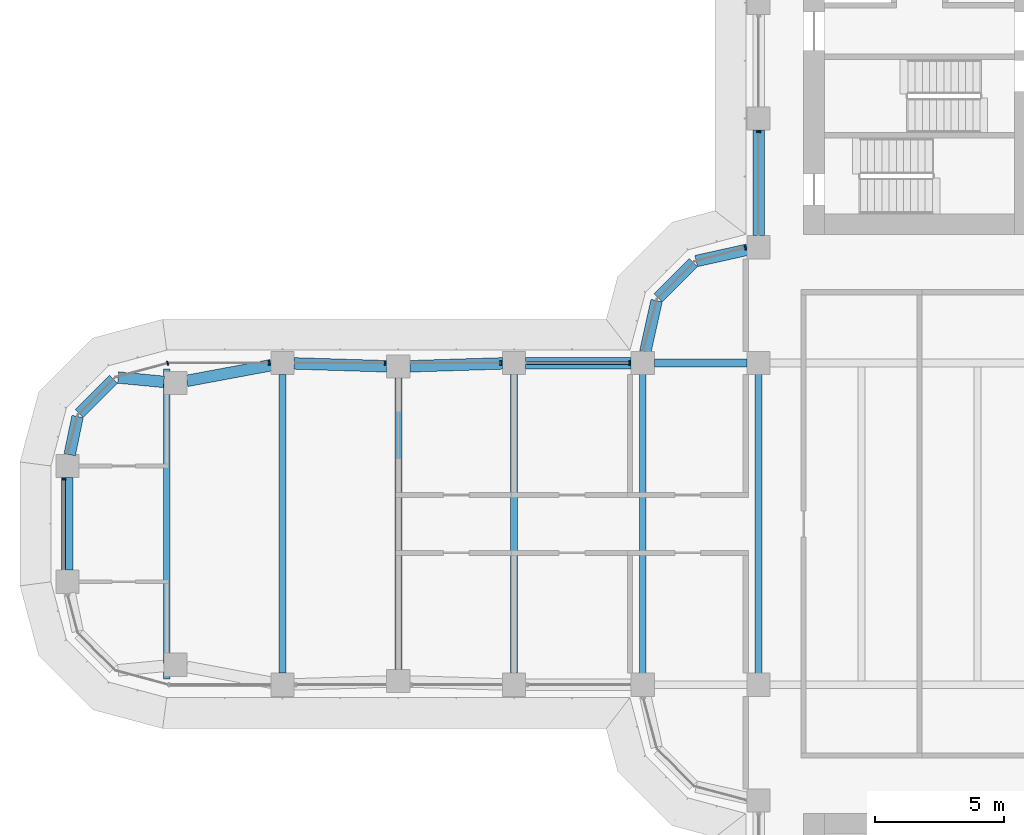
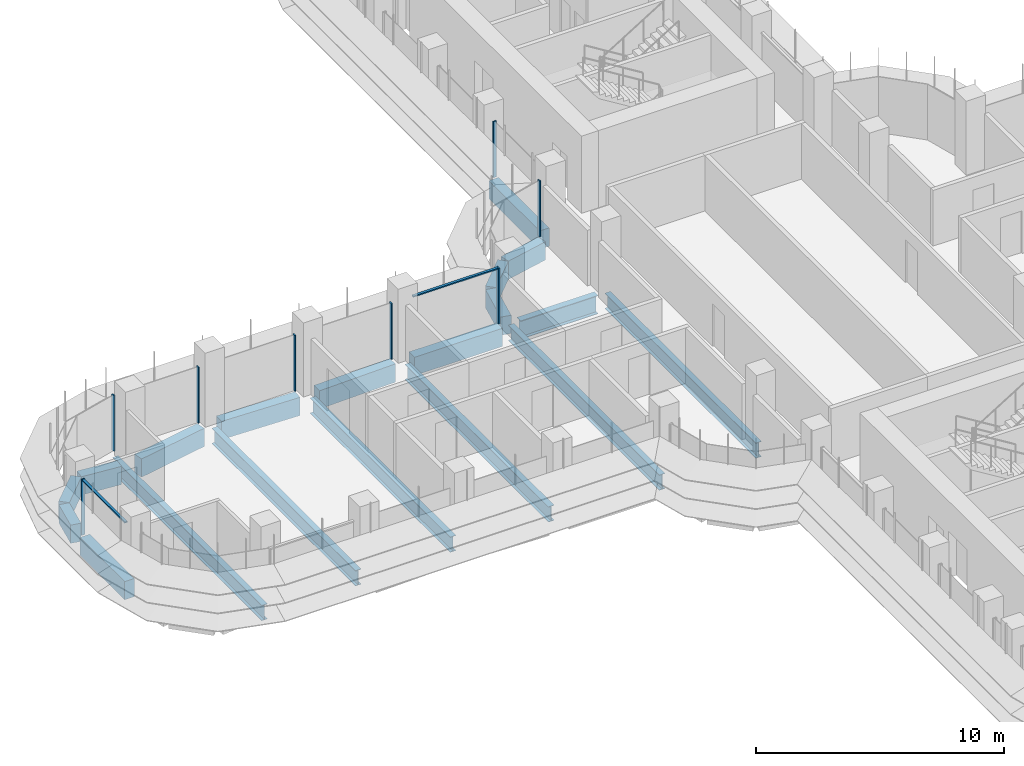
# One storey, part 6 of 23: 19 beams, 10 members, 5 elements without a shape of their own.
"""IFC4 building model written with IfcOpenShell, lengths in metres."""

from ifc_helpers import new_model, si_unit, direction, frame, origin, origin_2d, place, context, subcontext, project, spatial, polyline, rectangle, i_section, outline, extrude, source, transform, mapped, material, material_profile, profile_set, type_object, element, aggregate, save


model = new_model("IFC4")

# Units and contexts
model_context = context("Model", 3, precision=1e-05, world=origin(), true_north=direction((0.0, 1.0)))
body_context = subcontext(model_context, "Body", "Model", "MODEL_VIEW")
ifc_project = project(units=[si_unit("LENGTHUNIT", "METRE"), si_unit("AREAUNIT", "SQUARE_METRE"), si_unit("VOLUMEUNIT", "CUBIC_METRE"), si_unit("PLANEANGLEUNIT", "RADIAN"), si_unit("MASSUNIT", "GRAM", prefix="KILO")], contexts=[model_context])

# Site, building, storey
site_placement = place(None, origin())
site = spatial("IfcSite", under=ifc_project, at=site_placement, CompositionType="ELEMENT")
building_placement = place(site_placement, origin())
building = spatial("IfcBuilding", under=site, at=building_placement, Name="Zarbagh Exchange Tower", CompositionType="ELEMENT")
storey_placement = place(building_placement, frame((0.0, 0.0, 86.60009765625)))
storey = spatial("IfcBuildingStorey", under=building, at=storey_placement, Name="L19", CompositionType="ELEMENT", Elevation=86.60009765625)

# Beams
ifc_material_1 = material(Name="Steel ASTM A992 Gr 50", Category="steel")
ifc_material_profile_1 = material_profile(ifc_material_1, i_section(OverallWidth=0.2666015625, OverallDepth=0.7568359375, WebThickness=0.013916015625, FlangeThickness=0.019287109375, at=origin_2d()), Name="W30X108")
ifc_profile_set_1 = profile_set([ifc_material_profile_1], Name="Steel ASTM A992 Gr 50")
beam_type_1 = type_object("IfcBeamType", Name="Floor beam W30X108", PredefinedType="BEAM", material=ifc_profile_set_1)
for number, where, z_axis, x_axis, name in (
    (1, (-10.75, -6.09765625, -0.528564453125), (0.0, 1.0, 0.0), (-1.0, 0.0, 0.0), "Steel floor beam"),
    (2, (-6.25, -6.09765625, -0.528564453125), (0.0, 1.0, 0.0), (-1.0, 0.0, 0.0), "Steel floor beam"),
):
    element("IfcBeam", number, at=place(storey_placement, frame(where, z_axis=z_axis, x_axis=x_axis)), inside=storey, type_object=beam_type_1, Name=name, PredefinedType="BEAM", context=body_context, shape_type="SweptSolid", body=[
        extrude(i_section(OverallWidth=0.2666015625, OverallDepth=0.7568359375, WebThickness=0.013916015625, FlangeThickness=0.019287109375, at=origin_2d()), origin(), (0.0, 0.0, 1.0), 12.1953125),
    ])
beam_1_placement = place(storey_placement, frame((-15.75, -5.800048828125, -0.528564453125), z_axis=(0.0, 1.0, 0.0), x_axis=(-1.0, 0.0, 0.0)))
element("IfcBeam", 3, at=beam_1_placement, inside=storey, type_object=beam_type_1, Name="Steel floor beam", PredefinedType="BEAM", context=body_context, shape_type="SweptSolid", body=[
    extrude(i_section(OverallWidth=0.2666015625, OverallDepth=0.7568359375, WebThickness=0.013916015625, FlangeThickness=0.019287109375, at=origin_2d()), origin(), (0.0, 0.0, 1.0), 11.60009765625),
])
beam_2_placement = place(storey_placement, frame((-20.25, -5.659912109375, -0.528564453125), z_axis=(0.0, 1.0, 0.0), x_axis=(-1.0, 0.0, 0.0)))
element("IfcBeam", 4, at=beam_2_placement, inside=storey, type_object=beam_type_1, Name="Steel floor beam", PredefinedType="BEAM", context=body_context, shape_type="SweptSolid", body=[
    extrude(i_section(OverallWidth=0.2666015625, OverallDepth=0.7568359375, WebThickness=0.013916015625, FlangeThickness=0.019287109375, at=origin_2d()), origin(), (0.0, 0.0, 1.0), 11.31982421875),
])
beam_3_placement = place(storey_placement, frame((-24.75, -5.800048828125, -0.528564453125), z_axis=(0.0, 1.0, 0.0), x_axis=(-1.0, 0.0, 0.0)))
element("IfcBeam", 5, at=beam_3_placement, inside=storey, type_object=beam_type_1, Name="Steel floor beam", PredefinedType="BEAM", context=body_context, shape_type="SweptSolid", body=[
    extrude(i_section(OverallWidth=0.2666015625, OverallDepth=0.7568359375, WebThickness=0.013916015625, FlangeThickness=0.019287109375, at=origin_2d()), origin(), (0.0, 0.0, 1.0), 11.60009765625),
])
beam_4_placement = place(storey_placement, frame((-29.25, -6.02490234375, -0.528564453125), z_axis=(0.0, 1.0, 0.0), x_axis=(-1.0, 0.0, 0.0)))
element("IfcBeam", 6, at=beam_4_placement, inside=storey, type_object=beam_type_1, Name="Steel floor beam", PredefinedType="BEAM", context=body_context, shape_type="SweptSolid", body=[
    extrude(i_section(OverallWidth=0.2666015625, OverallDepth=0.7568359375, WebThickness=0.013916015625, FlangeThickness=0.019287109375, at=origin_2d()), origin(), (0.0, 0.0, 1.0), 12.0498046875),
])
ifc_material_profile_2 = material_profile(ifc_material_1, i_section(OverallWidth=0.3046875, OverallDepth=0.911865234375, WebThickness=0.015869140625, FlangeThickness=0.02392578125, at=origin_2d()), Name="W36X150")
ifc_profile_set_2 = profile_set([ifc_material_profile_2], Name="Steel ASTM A992 Gr 50")
beam_type_2 = type_object("IfcBeamType", Name="Floor girder W36X150", PredefinedType="BEAM", material=ifc_profile_set_2)
beam_5_placement = place(storey_placement, frame((-10.300048828125, 6.25, -0.60595703125), z_axis=(1.0, 0.0, 0.0), x_axis=(0.0, 1.0, 0.0)))
element("IfcBeam", 7, at=beam_5_placement, inside=storey, type_object=beam_type_2, Name="Steel girder", PredefinedType="BEAM", context=body_context, shape_type="SweptSolid", body=[
    extrude(i_section(OverallWidth=0.3046875, OverallDepth=0.911865234375, WebThickness=0.015869140625, FlangeThickness=0.02392578125, at=origin_2d()), origin(), (0.0, 0.0, 1.0), 3.60009765625),
])
ifc_material_2 = material(Name="Concrete C60/75", Category="concrete")
ifc_material_profile_3 = material_profile(ifc_material_2, rectangle(XDim=0.449951171875, YDim=0.89990234375, at=origin_2d()), Name="RC spandrel beam 450 x 900 C60/75")
ifc_profile_set_3 = profile_set([ifc_material_profile_3], Name="Concrete C60/75")
beam_type_3 = type_object("IfcBeamType", Name="RC spandrel beam 450 x 900 C60/75", PredefinedType="SPANDREL", material=ifc_profile_set_3)
beam_6_placement = place(storey_placement, frame((-33.110107421875, -1.800048828125, -0.60009765625), z_axis=(0.0, 1.0, 0.0), x_axis=(-1.0, 0.0, 0.0)))
element("IfcBeam", 8, at=beam_6_placement, inside=storey, type_object=beam_type_3, Name="RC spandrel beam", PredefinedType="SPANDREL", context=body_context, shape_type="SweptSolid", body=[
    extrude(rectangle(XDim=0.449951171875, YDim=0.89990234375, at=origin_2d()), origin(), (0.0, 0.0, 1.0), 3.60009765625),
])
beam_7_placement = place(storey_placement, frame((-33.01904296875, 2.690673828125, -0.60009765625), z_axis=(0.202275417995, 0.979328675816, 0.0), x_axis=(-0.979328675816, 0.202275417995, 0.0)))
element("IfcBeam", 9, at=beam_7_placement, inside=storey, type_object=beam_type_3, Name="RC spandrel beam", PredefinedType="SPANDREL", context=body_context, shape_type="SweptSolid", body=[
    extrude(rectangle(XDim=0.449951171875, YDim=0.89990234375, at=origin_2d()), origin(), (0.0, 0.0, 1.0), 1.515869140625),
])
beam_8_placement = place(storey_placement, frame((-32.651123046875, 4.288818359375, -0.60009765625), z_axis=(0.707106781187, 0.707106781187, 0.0), x_axis=(-0.707106781187, 0.707106781187, 0.0)))
element("IfcBeam", 10, at=beam_8_placement, inside=storey, type_object=beam_type_3, Name="RC spandrel beam", PredefinedType="SPANDREL", context=body_context, shape_type="SweptSolid", body=[
    extrude(rectangle(XDim=0.449951171875, YDim=0.89990234375, at=origin_2d()), origin(), (0.0, 0.0, 1.0), 1.887939453125),
])
beam_9_placement = place(storey_placement, frame((-31.135498046875, 5.688720703125, -0.60009765625), z_axis=(0.995433267802, -0.095459988228, 0.0), x_axis=(0.095459988228, 0.995433267802, 0.0)))
element("IfcBeam", 11, at=beam_9_placement, inside=storey, type_object=beam_type_3, Name="RC spandrel beam", PredefinedType="SPANDREL", context=body_context, shape_type="SweptSolid", body=[
    extrude(rectangle(XDim=0.449951171875, YDim=0.89990234375, at=origin_2d()), origin(), (0.0, 0.0, 1.0), 1.78759765625),
])
beam_10_placement = place(storey_placement, frame((-28.465576171875, 5.5576171875, -0.60009765625), z_axis=(0.98308156541, 0.183168326277, 0.0), x_axis=(-0.183168326277, 0.98308156541, 0.0)))
element("IfcBeam", 12, at=beam_10_placement, inside=storey, type_object=beam_type_3, Name="RC spandrel beam", PredefinedType="SPANDREL", context=body_context, shape_type="SweptSolid", body=[
    extrude(rectangle(XDim=0.449951171875, YDim=0.89990234375, at=origin_2d()), origin(), (0.0, 0.0, 1.0), 3.32958984375),
])
for number, where, z_axis, x_axis, name in (
    (13, (-24.30029296875, 6.236083984375, -0.60009765625), (0.999516035224, -0.031107801747, 0.0), (0.031107801747, 0.999516035224, 0.0), "RC spandrel beam"),
    (14, (-19.80029296875, 6.1240234375, -0.60009765625), (0.999516035224, 0.031107801747, 0.0), (-0.031107801747, 0.999516035224, 0.0), "RC spandrel beam"),
):
    element("IfcBeam", number, at=place(storey_placement, frame(where, z_axis=z_axis, x_axis=x_axis)), inside=storey, type_object=beam_type_3, Name=name, PredefinedType="SPANDREL", context=body_context, shape_type="SweptSolid", body=[
        extrude(rectangle(XDim=0.449951171875, YDim=0.89990234375, at=origin_2d()), origin(), (0.0, 0.0, 1.0), 3.602294921875),
    ])
beam_11_placement = place(storey_placement, frame((-15.300048828125, 6.25, -0.60009765625), z_axis=(1.0, 0.0, 0.0), x_axis=(0.0, 1.0, 0.0)))
element("IfcBeam", 15, at=beam_11_placement, inside=storey, type_object=beam_type_3, Name="RC spandrel beam", PredefinedType="SPANDREL", context=body_context, shape_type="SweptSolid", body=[
    extrude(rectangle(XDim=0.449951171875, YDim=0.89990234375, at=origin_2d()), origin(), (0.0, 0.0, 1.0), 4.10009765625),
])
beam_12_placement = place(storey_placement, frame((-10.65283203125, 6.689453125, -0.60009765625), z_axis=(0.216117666208, 0.976367325525, 0.0), x_axis=(-0.976367325525, 0.216117666208, 0.0)))
element("IfcBeam", 16, at=beam_12_placement, inside=storey, type_object=beam_type_3, Name="RC spandrel beam", PredefinedType="SPANDREL", context=body_context, shape_type="SweptSolid", body=[
    extrude(rectangle(XDim=0.449951171875, YDim=0.89990234375, at=origin_2d()), origin(), (0.0, 0.0, 1.0), 2.03564453125),
])
beam_13_placement = place(storey_placement, frame((-10.15234375, 8.78759765625, -0.60009765625), z_axis=(0.707106781187, 0.707106781187, 0.0), x_axis=(-0.707106781187, 0.707106781187, 0.0)))
element("IfcBeam", 17, at=beam_13_placement, inside=storey, type_object=beam_type_3, Name="RC spandrel beam", PredefinedType="SPANDREL", context=body_context, shape_type="SweptSolid", body=[
    extrude(rectangle(XDim=0.449951171875, YDim=0.89990234375, at=origin_2d()), origin(), (0.0, 0.0, 1.0), 1.929931640625),
])
beam_14_placement = place(storey_placement, frame((-8.677001953125, 10.212890625, -0.60009765625), z_axis=(0.976367325525, 0.216117666208, 0.0), x_axis=(-0.216117666208, 0.976367325525, 0.0)))
element("IfcBeam", 18, at=beam_14_placement, inside=storey, type_object=beam_type_3, Name="RC spandrel beam", PredefinedType="SPANDREL", context=body_context, shape_type="SweptSolid", body=[
    extrude(rectangle(XDim=0.449951171875, YDim=0.89990234375, at=origin_2d()), origin(), (0.0, 0.0, 1.0), 2.03564453125),
])
beam_15_placement = place(storey_placement, frame((-6.25, 11.199951171875, -0.60009765625), z_axis=(0.0, 1.0, 0.0), x_axis=(-1.0, 0.0, 0.0)))
element("IfcBeam", 19, at=beam_15_placement, inside=storey, type_object=beam_type_3, Name="RC spandrel beam", PredefinedType="SPANDREL", context=body_context, shape_type="SweptSolid", body=[
    extrude(rectangle(XDim=0.449951171875, YDim=0.89990234375, at=origin_2d()), origin(), (0.0, 0.0, 1.0), 4.10009765625),
])

# Curtain wall, member
ifc_material_3 = material(Name="Anodised aluminium frame and glazing", Category="aluminium")
curtain_wall_type = type_object("IfcCurtainWallType", Name="CWA Ribbon glazing, lower zones", PredefinedType="NOTDEFINED", material=ifc_material_3)
curtain_wall_1_placement = place(storey_placement, origin())
curtain_wall_1 = element("IfcCurtainWall", 20, at=curtain_wall_1_placement, inside=storey, type_object=curtain_wall_type, Name="CWA28 curtain wall", PredefinedType="NOTDEFINED")
ifc_material_4 = material(Name="Anodised aluminium frame", Category="aluminium")
member_type_1 = type_object("IfcMemberType", Name="MUA Mullion, anodised aluminium frame", PredefinedType="MULLION", material=ifc_material_4)
shared_shape_1 = source(origin(), body_context, "Body", "SweptSolid", [
    extrude(outline(polyline([(0.0, -0.080078125), (0.06005859375, -0.080078125), (0.06005859375, 0.080078125), (0.0, 0.080078125), (0.0, -0.080078125)])), origin(), (0.0, 0.0, 1.0), 2.75),
])
placement = place(storey_placement, origin())
member_1 = element("IfcMember", 21, at=placement, type_object=member_type_1, Name="CWA28 mullion 5.1", PredefinedType="MULLION", context=body_context, shape_type="MappedRepresentation", body=[
    mapped(shared_shape_1, transform((-6.25, 15.260009765625, 0.0), x_axis=(0.0, -1.0, 0.0), y_axis=(1.0, 0.0, 0.0), z_axis=(0.0, 0.0, 1.0))),
])
aggregate(curtain_wall_1, [member_1])

curtain_wall_2_placement = place(storey_placement, origin())
curtain_wall_2 = element("IfcCurtainWall", 22, at=curtain_wall_2_placement, inside=storey, type_object=curtain_wall_type, Name="CWA29 curtain wall", PredefinedType="NOTDEFINED")
member_2 = element("IfcMember", 23, at=placement, type_object=member_type_1, Name="CWA29 mullion 1.1", PredefinedType="MULLION", context=body_context, shape_type="MappedRepresentation", body=[
    mapped(shared_shape_1, transform((-6.739990234375, 10.735107421875, 0.0), x_axis=(-0.965924289636, -0.258824779902, 0.0), y_axis=(0.258824779902, -0.965924289636, 0.0), z_axis=(0.0, 0.0, 1.0))),
])
aggregate(curtain_wall_2, [member_2])

# Curtain wall, members
curtain_wall_3_placement = place(storey_placement, origin())
curtain_wall_3 = element("IfcCurtainWall", 24, at=curtain_wall_3_placement, inside=storey, type_object=curtain_wall_type, Name="CWA32 curtain wall", PredefinedType="NOTDEFINED")
member_3 = element("IfcMember", 25, at=placement, type_object=member_type_1, Name="CWA32 mullion 1.1", PredefinedType="MULLION", context=body_context, shape_type="MappedRepresentation", body=[
    mapped(shared_shape_1, transform((-11.239990234375, 6.25, 0.0), x_axis=(-1.0, 0.0, 0.0), y_axis=(0.0, -1.0, 0.0), z_axis=(0.0, 0.0, 1.0))),
])
member_4 = element("IfcMember", 26, at=placement, type_object=member_type_1, Name="CWA32 mullion 2.1", PredefinedType="MULLION", context=body_context, shape_type="MappedRepresentation", body=[
    mapped(shared_shape_1, transform((-16.239990234375, 6.25, 0.0), x_axis=(-1.0, 0.0, 0.0), y_axis=(0.0, -1.0, 0.0), z_axis=(0.0, 0.0, 1.0))),
])
member_5 = element("IfcMember", 27, at=placement, type_object=member_type_1, Name="CWA32 mullion 3.1", PredefinedType="MULLION", context=body_context, shape_type="MappedRepresentation", body=[
    mapped(shared_shape_1, transform((-20.739990234375, 6.25, 0.0), x_axis=(-1.0, 0.0, 0.0), y_axis=(0.0, -1.0, 0.0), z_axis=(0.0, 0.0, 1.0))),
])
member_6 = element("IfcMember", 28, at=placement, type_object=member_type_1, Name="CWA32 mullion 4.1", PredefinedType="MULLION", context=body_context, shape_type="MappedRepresentation", body=[
    mapped(shared_shape_1, transform((-25.239990234375, 6.25, 0.0), x_axis=(-1.0, 0.0, 0.0), y_axis=(0.0, -1.0, 0.0), z_axis=(0.0, 0.0, 1.0))),
])

# Curtain wall, member
curtain_wall_4_placement = place(storey_placement, origin())
curtain_wall_4 = element("IfcCurtainWall", 29, at=curtain_wall_4_placement, inside=storey, type_object=curtain_wall_type, Name="CWA33 curtain wall", PredefinedType="NOTDEFINED")
member_7 = element("IfcMember", 30, at=placement, type_object=member_type_1, Name="CWA33 mullion 1.1", PredefinedType="MULLION", context=body_context, shape_type="MappedRepresentation", body=[
    mapped(shared_shape_1, transform((-29.18408203125, 6.25, 0.0), x_axis=(-0.965924289636, -0.258824779902, 0.0), y_axis=(0.258824779902, -0.965924289636, 0.0), z_axis=(0.0, 0.0, 1.0))),
])
aggregate(curtain_wall_4, [member_7])

curtain_wall_5_placement = place(storey_placement, origin())
curtain_wall_5 = element("IfcCurtainWall", 31, at=curtain_wall_5_placement, inside=storey, type_object=curtain_wall_type, Name="CWA36 curtain wall", PredefinedType="NOTDEFINED")
member_8 = element("IfcMember", 32, at=placement, type_object=member_type_1, Name="CWA36 mullion 1.1", PredefinedType="MULLION", context=body_context, shape_type="MappedRepresentation", body=[
    mapped(shared_shape_1, transform((-33.25, 1.760009765625, 0.0), x_axis=(0.0, -1.0, 0.0), y_axis=(1.0, 0.0, 0.0), z_axis=(0.0, 0.0, 1.0))),
])

# Member
member_type_2 = type_object("IfcMemberType", Name="TRA Transom, anodised aluminium frame", PredefinedType="USERDEFINED", material=ifc_material_4)
shared_shape_2 = source(origin(), body_context, "Body", "SweptSolid", [
    extrude(outline(polyline([(-0.06005859375, -0.06005859375), (0.0, -0.06005859375), (0.0, 0.06005859375), (-0.06005859375, 0.06005859375), (-0.06005859375, -0.06005859375)])), origin(), (0.0, 0.0, 1.0), 3.9599609375),
])
member_9 = element("IfcMember", 33, at=placement, type_object=member_type_2, Name="CWA32 transom 1.1", ObjectType="TRANSOM", PredefinedType="USERDEFINED", context=body_context, shape_type="MappedRepresentation", body=[
    mapped(shared_shape_2, transform((-11.300048828125, 6.25, 2.75), x_axis=(0.0, 0.0, 1.0), y_axis=(0.0, 1.0, 0.0), z_axis=(-1.0, 0.0, 0.0))),
])

aggregate(curtain_wall_3, [member_3, member_9, member_4, member_5, member_6])

shared_shape_3 = source(origin(), body_context, "Body", "SweptSolid", [
    extrude(outline(polyline([(-0.06005859375, -0.06005859375), (0.0, -0.06005859375), (0.0, 0.06005859375), (-0.06005859375, 0.06005859375), (-0.06005859375, -0.06005859375)])), origin(), (0.0, 0.0, 1.0), 3.4599609375),
])
member_10 = element("IfcMember", 34, at=placement, type_object=member_type_2, Name="CWA36 transom 1.1", ObjectType="TRANSOM", PredefinedType="USERDEFINED", context=body_context, shape_type="MappedRepresentation", body=[
    mapped(shared_shape_3, transform((-33.25, 1.699951171875, 2.75), x_axis=(0.0, 0.0, 1.0), y_axis=(-1.0, 0.0, 0.0), z_axis=(0.0, -1.0, 0.0))),
])

aggregate(curtain_wall_5, [member_8, member_10])

save(model, "model.ifc")
